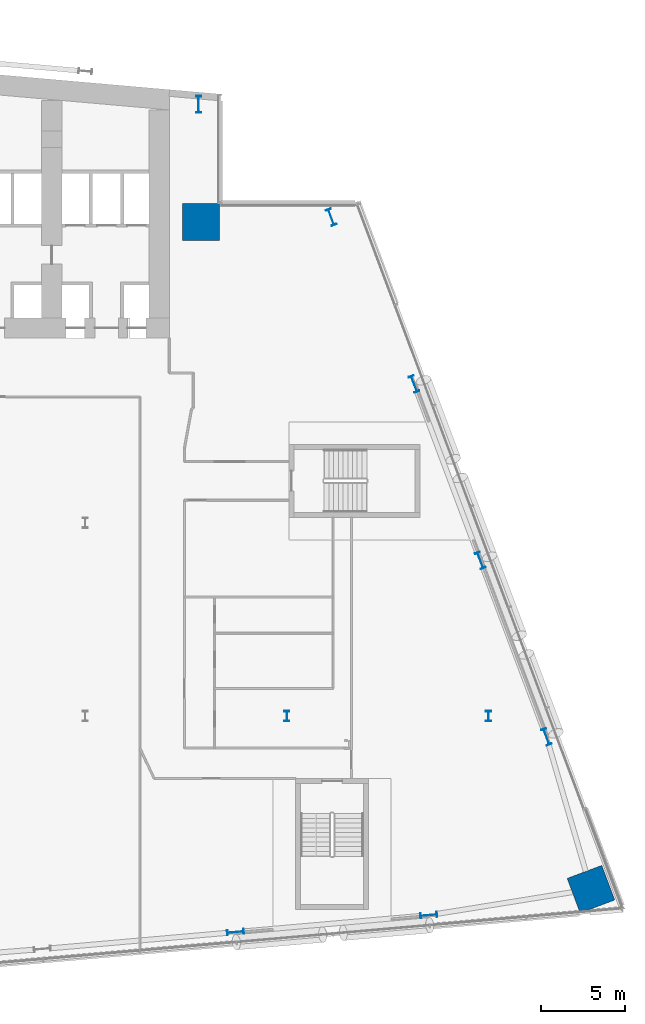
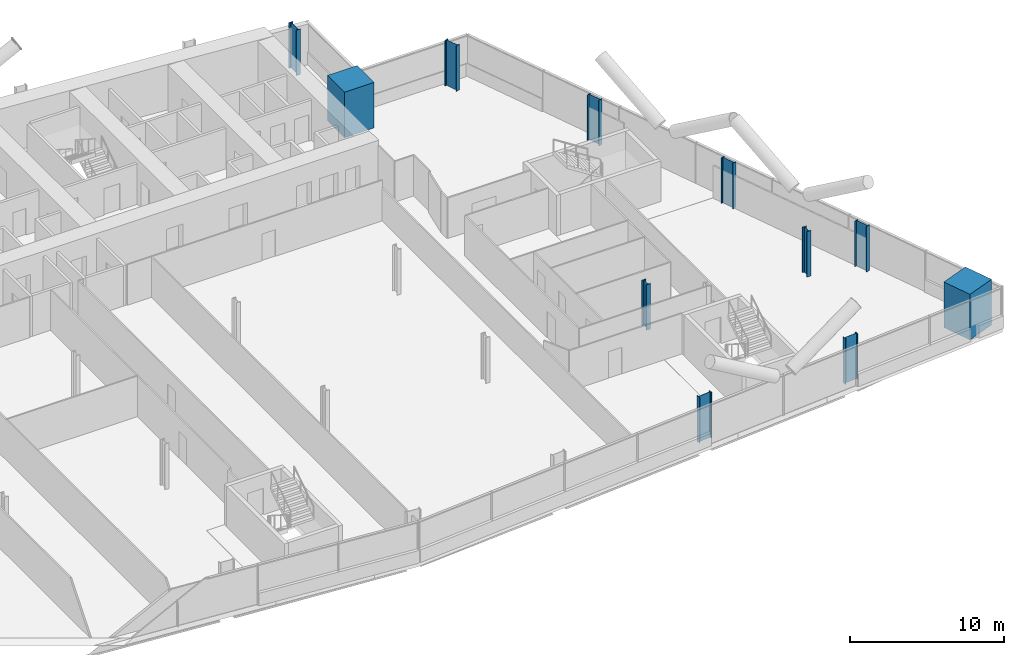
# One storey, part 3 of 25: 11 columns.
"""IFC4 building model written with IfcOpenShell, lengths in metres."""

from ifc_helpers import new_model, si_unit, direction, frame, origin, origin_2d, place, context, subcontext, project, spatial, rectangle, i_section, extrude, material, material_profile, profile_set, type_object, element, save


model = new_model("IFC4")

# Units and contexts
model_context = context("Model", 3, precision=1e-05, world=origin(), true_north=direction((0.0, 1.0)))
body_context = subcontext(model_context, "Body", "Model", "MODEL_VIEW")
ifc_project = project(units=[si_unit("LENGTHUNIT", "METRE"), si_unit("AREAUNIT", "SQUARE_METRE"), si_unit("VOLUMEUNIT", "CUBIC_METRE"), si_unit("PLANEANGLEUNIT", "RADIAN"), si_unit("MASSUNIT", "GRAM", prefix="KILO")], contexts=[model_context])

# Site, building, storey
site_placement = place(None, origin())
site = spatial("IfcSite", under=ifc_project, at=site_placement, CompositionType="ELEMENT")
building_placement = place(site_placement, origin())
building = spatial("IfcBuilding", under=site, at=building_placement, Name="Wharfspan Tower", CompositionType="ELEMENT")
storey_placement = place(building_placement, frame((0.0, 0.0, 70.300049)))
storey = spatial("IfcBuildingStorey", under=building, at=storey_placement, Name="L14", CompositionType="ELEMENT", Elevation=70.300049)

# Columns
ifc_material_1 = material(Name="Steel S355J2", Category="steel")
ifc_material_profile_1 = material_profile(ifc_material_1, i_section(OverallWidth=0.302002, OverallDepth=1.008057, WebThickness=0.020996, FlangeThickness=0.040039, FilletRadius=0.030029, at=origin_2d()))
ifc_profile_set_1 = profile_set([ifc_material_profile_1], Name="Steel S355J2")
column_type_1 = type_object("IfcColumnType", Name="Column HEM 1000", PredefinedType="COLUMN", material=ifc_profile_set_1)
for number, where, z_axis, x_axis, name in (
    (1, (68.942383, -1.354736, 0.0), (0.0, 0.0, 1.0), (0.087156, -0.996198, 0.0), "Perimeter column PS2.2 L14"),
    (2, (80.442383, -0.348633, 0.0), (0.0, 0.0, 1.0), (0.087156, -0.996198, 0.0), "Perimeter column PS2.3 L14"),
    (3, (87.44458, 10.268311, 0.0), (0.0, 0.0, 1.0), (0.936328, 0.351123, 0.0), "Perimeter column PE.1 L14"),
    (4, (83.50708, 20.768311, 0.0), (0.0, 0.0, 1.0), (0.936328, 0.351123, 0.0), "Perimeter column PE.2 L14"),
    (5, (79.56958, 31.268311, 0.0), (0.0, 0.0, 1.0), (0.936328, 0.351123, 0.0), "Perimeter column PE.3 L14"),
    (6, (74.634277, 41.196289, 0.0), (0.0, 0.0, 1.0), (0.936328, 0.351123, 0.0), "Perimeter column PE.4 L14"),
    (7, (66.747803, 47.915283, 0.0), (0.0, 0.0, 1.0), (1.0, 0.0, 0.0), "Perimeter column PNRE-V.1 L14"),
):
    element("IfcColumn", number, at=place(storey_placement, frame(where, z_axis=z_axis, x_axis=x_axis)), inside=storey, type_object=column_type_1, Name=name, PredefinedType="COLUMN", context=body_context, shape_type="SweptSolid", body=[
        extrude(i_section(OverallWidth=0.302002, OverallDepth=1.008057, WebThickness=0.020996, FlangeThickness=0.040039, FilletRadius=0.030029, at=origin_2d()), origin(), (0.0, 0.0, 1.0), 3.599854),
    ])
ifc_material_profile_2 = material_profile(ifc_material_1, i_section(OverallWidth=0.304932, OverallDepth=0.620117, WebThickness=0.020996, FlangeThickness=0.040039, FilletRadius=0.0271, at=origin_2d()))
ifc_profile_set_2 = profile_set([ifc_material_profile_2], Name="Steel S355J2")
column_type_2 = type_object("IfcColumnType", Name="Column HEM 600", PredefinedType="COLUMN", material=ifc_profile_set_2)
for number, where, z_axis, x_axis, name in (
    (8, (72.0, 11.5, 0.0), (0.0, 0.0, 1.0), (1.0, 0.0, 0.0), "Interior column I.1.6 L14"),
    (9, (84.0, 11.5, 0.0), (0.0, 0.0, 1.0), (1.0, 0.0, 0.0), "Interior column I.1.7 L14"),
):
    element("IfcColumn", number, at=place(storey_placement, frame(where, z_axis=z_axis, x_axis=x_axis)), inside=storey, type_object=column_type_2, Name=name, PredefinedType="COLUMN", context=body_context, shape_type="SweptSolid", body=[
        extrude(i_section(OverallWidth=0.304932, OverallDepth=0.620117, WebThickness=0.020996, FlangeThickness=0.040039, FilletRadius=0.0271, at=origin_2d()), origin(), (0.0, 0.0, 1.0), 3.599854),
    ])
ifc_material_2 = material(Name="Concrete C70/85", Category="concrete")
ifc_material_profile_3 = material_profile(ifc_material_2, rectangle(XDim=2.199951, YDim=2.199951, at=origin_2d()))
ifc_profile_set_3 = profile_set([ifc_material_profile_3], Name="Concrete C70/85")
column_type_3 = type_object("IfcColumnType", Name="Mega column 2200 C70/85", PredefinedType="COLUMN", material=ifc_profile_set_3)
for number, where, z_axis, x_axis, name in (
    (10, (66.899902, 40.899902, 0.0), (0.0, 0.0, 1.0), (1.0, 0.0, 0.0), "Mega column MC3 L14"),
    (11, (90.096436, 1.199707, 0.0), (0.0, 0.0, 1.0), (-0.351123, 0.936328, 0.0), "Mega column MC4 L14"),
):
    element("IfcColumn", number, at=place(storey_placement, frame(where, z_axis=z_axis, x_axis=x_axis)), inside=storey, type_object=column_type_3, Name=name, PredefinedType="COLUMN", context=body_context, shape_type="SweptSolid", body=[
        extrude(rectangle(XDim=2.199951, YDim=2.199951, at=origin_2d()), origin(), (0.0, 0.0, 1.0), 3.599854),
    ])

save(model, "model.ifc")
